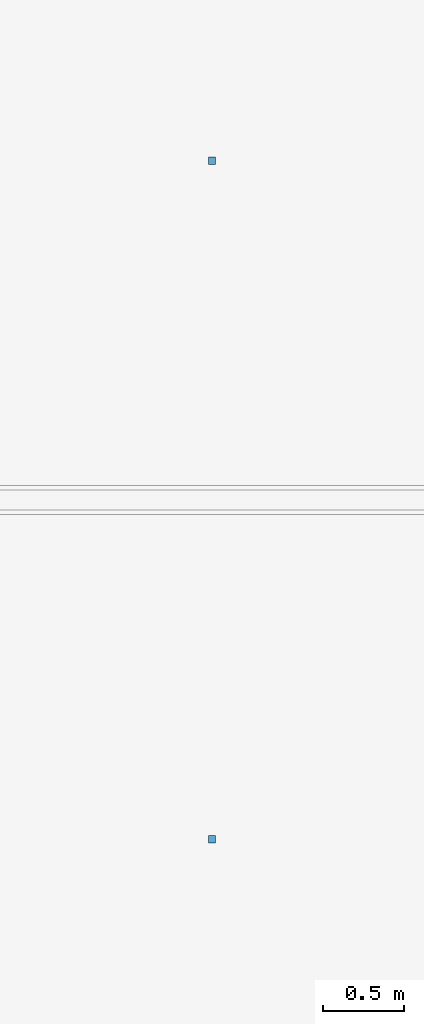
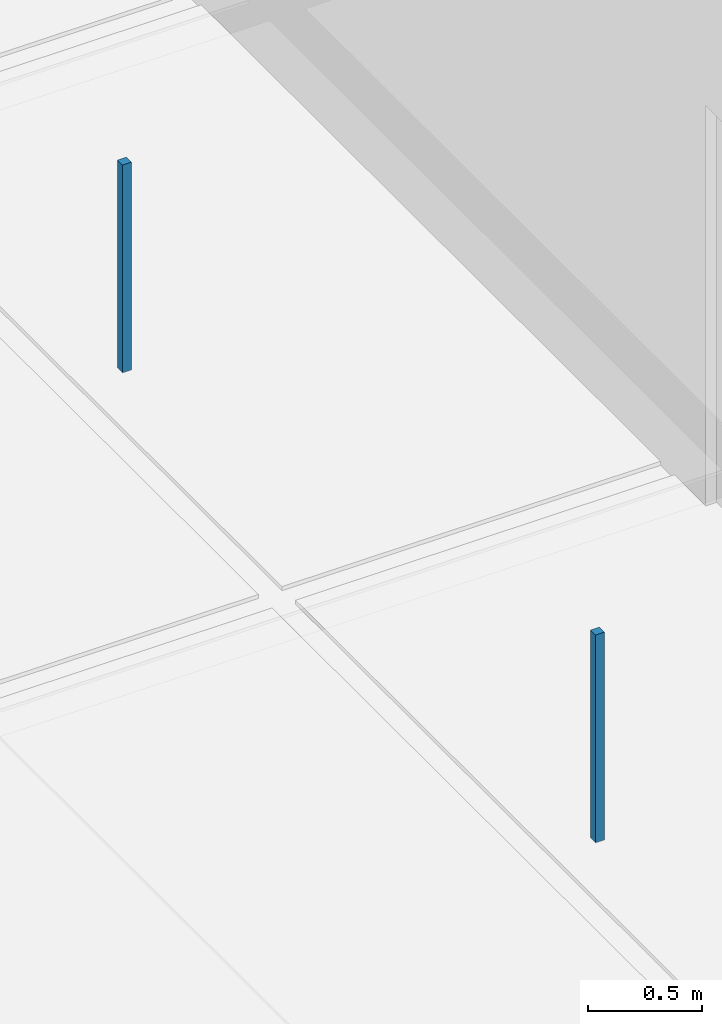
# One storey, part 107 of 130: 2 discrete accessories.
"""IFC4 building model written with IfcOpenShell, lengths in metres."""

from ifc_helpers import new_model, si_unit, direction, frame, origin, origin_2d, place, context, subcontext, project, spatial, rectangle, extrude, material, type_object, element, save


model = new_model("IFC4")

# Units and contexts
model_context = context("Model", 3, precision=1e-05, world=origin(), true_north=direction((0.0, 1.0)))
body_context = subcontext(model_context, "Body", "Model", "MODEL_VIEW")
ifc_project = project(units=[si_unit("LENGTHUNIT", "METRE"), si_unit("AREAUNIT", "SQUARE_METRE"), si_unit("VOLUMEUNIT", "CUBIC_METRE"), si_unit("PLANEANGLEUNIT", "RADIAN"), si_unit("MASSUNIT", "GRAM", prefix="KILO"), si_unit("THERMODYNAMICTEMPERATUREUNIT", "KELVIN"), si_unit("POWERUNIT", "WATT")], contexts=[model_context])

# Site, building, storey
site_placement = place(None, origin())
site = spatial("IfcSite", under=ifc_project, at=site_placement, CompositionType="ELEMENT")
building_placement = place(site_placement, origin())
building = spatial("IfcBuilding", under=site, at=building_placement, Name="Tallowbark Science Centre", CompositionType="ELEMENT")
storey_placement = place(building_placement, frame((0.0, 0.0, 5.39990234375)))
storey = spatial("IfcBuildingStorey", under=building, at=storey_placement, Name="L01", CompositionType="ELEMENT", Elevation=5.39990234375)

# Discrete accessories
ifc_material = material(Name="Galvanised Steel Grade C350L0 (350 MPa)", Category="steel")
discrete_accessory_type = type_object("IfcDiscreteAccessoryType", Name="ACC-CLG-HNG", PredefinedType="BRACKET", material=ifc_material)
for number, where, z_axis, x_axis, name in (
    (1, (127.354248046875, 95.916748046875, 3.2060546875), (0.0, 0.0, 1.0), (1.0, 0.0, 0.0), "Ceiling Hanger Bracket L01-701"),
    (2, (127.354248046875, 100.083251953125, 3.2060546875), (0.0, 0.0, 1.0), (1.0, 0.0, 0.0), "Ceiling Hanger Bracket L01-702"),
):
    element("IfcDiscreteAccessory", number, at=place(storey_placement, frame(where, z_axis=z_axis, x_axis=x_axis)), inside=storey, type_object=discrete_accessory_type, Name=name, PredefinedType="BRACKET", context=body_context, shape_type="SweptSolid", body=[
        extrude(rectangle(XDim=0.044921875, YDim=0.044921875, at=origin_2d()), origin(), (0.0, 0.0, 1.0), 1.116943359375),
    ])

save(model, "model.ifc")
